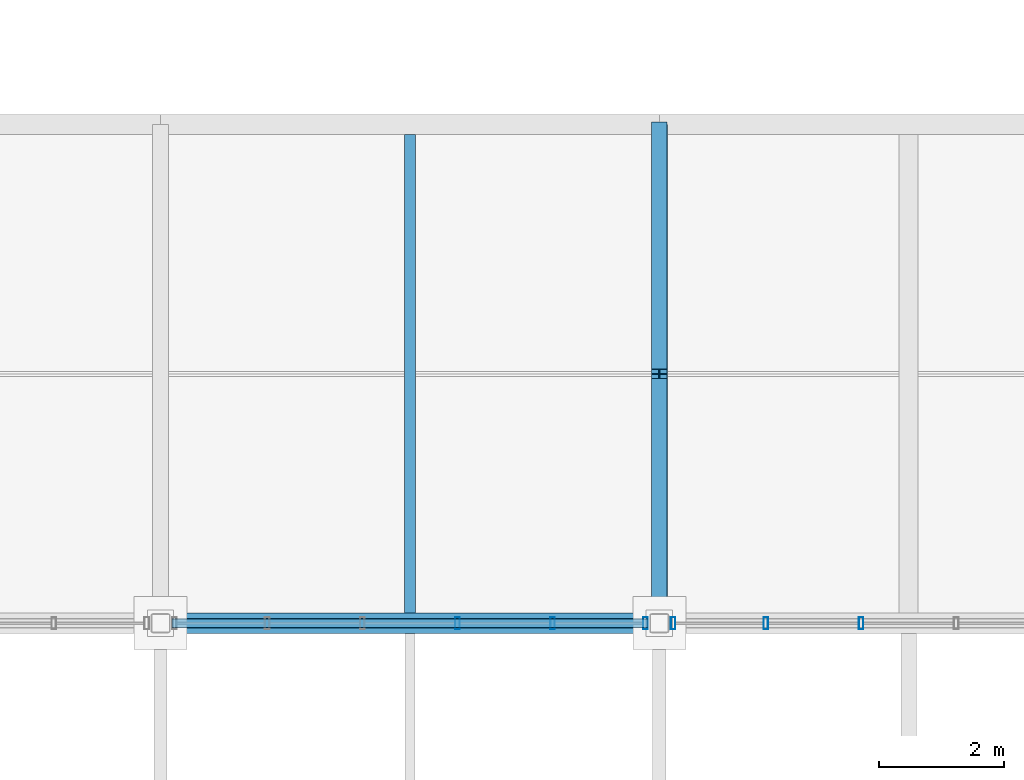
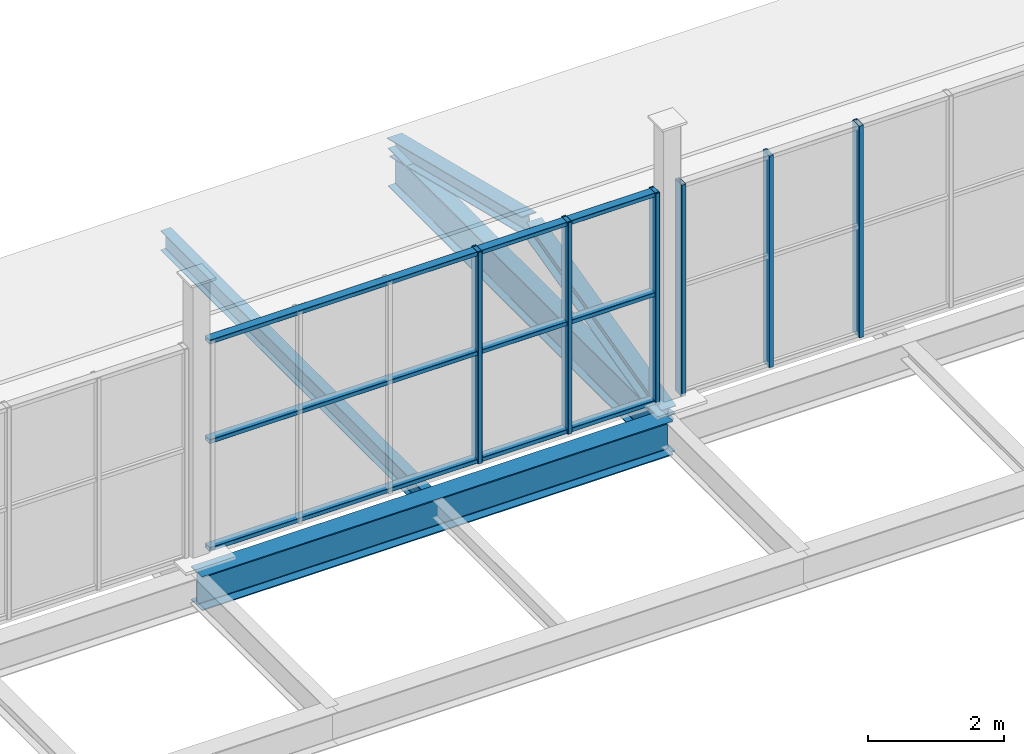
# One storey, part 51 of 96: 11 members, 3 beams, 2 elements without a shape of their own.
"""IFC4 building model written with IfcOpenShell, lengths in metres."""

from ifc_helpers import new_model, si_unit, direction, frame, origin, origin_2d, place, context, subcontext, project, spatial, hollow_rectangle, i_section, extrude, material, material_profile, profile_set, type_object, element, aggregate, save


model = new_model("IFC4")

# Units and contexts
model_context = context("Model", 3, precision=1e-05, world=origin(), true_north=direction((0.0, 1.0)))
body_context = subcontext(model_context, "Body", "Model", "MODEL_VIEW")
ifc_project = project(units=[si_unit("LENGTHUNIT", "METRE"), si_unit("AREAUNIT", "SQUARE_METRE"), si_unit("VOLUMEUNIT", "CUBIC_METRE"), si_unit("PLANEANGLEUNIT", "RADIAN"), si_unit("MASSUNIT", "GRAM", prefix="KILO")], contexts=[model_context])

# Site, building, storey
site_placement = place(None, origin())
site = spatial("IfcSite", under=ifc_project, at=site_placement, CompositionType="ELEMENT")
building_placement = place(site_placement, origin())
building = spatial("IfcBuilding", under=site, at=building_placement, Name="Verrall Gate Interchange", CompositionType="ELEMENT")
storey_placement = place(building_placement, frame((0.0, 0.0, 11.39990234375)))
storey = spatial("IfcBuildingStorey", under=building, at=storey_placement, Name="L03", CompositionType="ELEMENT", Elevation=11.39990234375)

# Beams
ifc_material_1 = material(Name="Structural Steel CSA G40.21 350WT Cat 4", Category="steel")
ifc_material_profile_1 = material_profile(ifc_material_1, i_section(OverallWidth=0.256103515625, OverallDepth=0.693115234375, WebThickness=0.01318359375, FlangeThickness=0.02001953125, FilletRadius=0.01611328125, at=origin_2d()), Name="W690x170")
ifc_profile_set_1 = profile_set([ifc_material_profile_1], Name="Structural Steel CSA G40.21 350WT Cat 4")
beam_type_1 = type_object("IfcBeamType", Name="B-07 Structural Beam W690x170", PredefinedType="BEAM", material=ifc_profile_set_1)
beam_1_placement = place(storey_placement, frame((92.0, 48.0, -0.676513671875), z_axis=(0.0, 1.0, 0.0), x_axis=(-1.0, 0.0, 0.0)))
element("IfcBeam", 1, at=beam_1_placement, inside=storey, type_object=beam_type_1, Name="L03 Girder BM-L03-2305 (B-07)", PredefinedType="BEAM", context=body_context, shape_type="SweptSolid", body=[
    extrude(i_section(OverallWidth=0.256103515625, OverallDepth=0.693115234375, WebThickness=0.01318359375, FlangeThickness=0.02001953125, FilletRadius=0.01611328125, at=origin_2d()), origin(), (0.0, 0.0, 1.0), 8.0),
])
ifc_material_2 = material(Name="Structural Steel CSA G40.21 350WT Cat 4", Category="steel")
ifc_material_profile_2 = material_profile(ifc_material_2, i_section(OverallWidth=0.323974609375, OverallDepth=0.611083984375, WebThickness=0.0126953125, FlangeThickness=0.01904296875, FilletRadius=0.014892578125, at=origin_2d()), Name="W610x155")
ifc_profile_set_2 = profile_set([ifc_material_profile_2], Name="Structural Steel CSA G40.21 350WT Cat 4")
beam_type_2 = type_object("IfcBeamType", Name="B-08 Structural Beam W610x155", PredefinedType="BEAM", material=ifc_profile_set_2)
beam_2_placement = place(storey_placement, frame((84.0, 48.0, -0.635498046875), z_axis=(1.0, 0.0, 0.0), x_axis=(0.0, 1.0, 0.0)))
element("IfcBeam", 2, at=beam_2_placement, inside=storey, type_object=beam_type_2, Name="L03 Girder BM-L03-2116 (B-08)", PredefinedType="BEAM", context=body_context, shape_type="SweptSolid", body=[
    extrude(i_section(OverallWidth=0.323974609375, OverallDepth=0.611083984375, WebThickness=0.0126953125, FlangeThickness=0.01904296875, FilletRadius=0.014892578125, at=origin_2d()), origin(), (0.0, 0.0, 1.0), 8.0),
])

# Curtain wall, members
ifc_material_3 = material(Name="Thermally Broken Anodized Aluminium Curtain Wall Framing", Category="aluminium")
curtain_wall_type = type_object("IfcCurtainWallType", Name="CW-53 Unitized Curtain Wall 7631x3800", PredefinedType="NOTDEFINED", material=ifc_material_3)
curtain_wall_1_placement = place(storey_placement, origin())
curtain_wall_1 = element("IfcCurtainWall", 3, at=curtain_wall_1_placement, inside=storey, type_object=curtain_wall_type, Name="L03 Unitized Curtain Wall CW-L03-CLR-179", PredefinedType="NOTDEFINED")
ifc_material_4 = material(Name="Thermally Broken Anodized Aluminium Curtain Wall Framing", Category="aluminium")
ifc_material_profile_3 = material_profile(ifc_material_4, hollow_rectangle(XDim=0.074951171875, YDim=0.199951171875, WallThickness=0.0048828125, InnerFilletRadius=0.0048828125, OuterFilletRadius=0.010009765625, at=origin_2d()), Name="CWM200x75x5")
ifc_profile_set_3 = profile_set([ifc_material_profile_3], Name="Thermally Broken Anodized Aluminium Curtain Wall Framing")
member_type_1 = type_object("IfcMemberType", Name="CM-02 Curtain Mullion CWM200x75x5", PredefinedType="MULLION", material=ifc_profile_set_3)
member_1_placement = place(storey_placement, frame((88.76318359375, 48.0, 0.0), z_axis=(0.0, 0.0, 1.0), x_axis=(1.0, 0.0, 0.0)))
member_1 = element("IfcMember", 4, at=member_1_placement, type_object=member_type_1, Name="CW-L03-CLR-179 Mullion 4", PredefinedType="MULLION", context=body_context, shape_type="SweptSolid", body=[
    extrude(hollow_rectangle(XDim=0.074951171875, YDim=0.199951171875, WallThickness=0.0048828125, InnerFilletRadius=0.0048828125, OuterFilletRadius=0.010009765625, at=origin_2d()), origin(), (0.0, 0.0, 1.0), 3.800048828125),
])
member_2_placement = place(storey_placement, frame((90.289306640625, 48.0, 0.0), z_axis=(0.0, 0.0, 1.0), x_axis=(1.0, 0.0, 0.0)))
member_2 = element("IfcMember", 5, at=member_2_placement, type_object=member_type_1, Name="CW-L03-CLR-179 Mullion 5", PredefinedType="MULLION", context=body_context, shape_type="SweptSolid", body=[
    extrude(hollow_rectangle(XDim=0.074951171875, YDim=0.199951171875, WallThickness=0.0048828125, InnerFilletRadius=0.0048828125, OuterFilletRadius=0.010009765625, at=origin_2d()), origin(), (0.0, 0.0, 1.0), 3.800048828125),
])
member_3_placement = place(storey_placement, frame((91.778076171875, 48.0, 0.0), z_axis=(0.0, 0.0, 1.0), x_axis=(1.0, 0.0, 0.0)))
member_3 = element("IfcMember", 6, at=member_3_placement, type_object=member_type_1, Name="CW-L03-CLR-179 Mullion 6", PredefinedType="MULLION", context=body_context, shape_type="SweptSolid", body=[
    extrude(hollow_rectangle(XDim=0.074951171875, YDim=0.199951171875, WallThickness=0.0048828125, InnerFilletRadius=0.0048828125, OuterFilletRadius=0.010009765625, at=origin_2d()), origin(), (0.0, 0.0, 1.0), 3.800048828125),
])

curtain_wall_2_placement = place(storey_placement, origin())
curtain_wall_2 = element("IfcCurtainWall", 7, at=curtain_wall_2_placement, inside=storey, type_object=curtain_wall_type, Name="L03 Unitized Curtain Wall CW-L03-CLR-180", PredefinedType="NOTDEFINED")
member_4_placement = place(storey_placement, frame((92.221923828125, 48.0, 0.0), z_axis=(0.0, 0.0, 1.0), x_axis=(1.0, 0.0, 0.0)))
member_4 = element("IfcMember", 8, at=member_4_placement, type_object=member_type_1, Name="CW-L03-CLR-180 Mullion 1", PredefinedType="MULLION", context=body_context, shape_type="SweptSolid", body=[
    extrude(hollow_rectangle(XDim=0.074951171875, YDim=0.199951171875, WallThickness=0.0048828125, InnerFilletRadius=0.0048828125, OuterFilletRadius=0.010009765625, at=origin_2d()), origin(), (0.0, 0.0, 1.0), 3.800048828125),
])
member_5_placement = place(storey_placement, frame((93.710693359375, 48.0, 0.0), z_axis=(0.0, 0.0, 1.0), x_axis=(1.0, 0.0, 0.0)))
member_5 = element("IfcMember", 9, at=member_5_placement, type_object=member_type_1, Name="CW-L03-CLR-180 Mullion 2", PredefinedType="MULLION", context=body_context, shape_type="SweptSolid", body=[
    extrude(hollow_rectangle(XDim=0.074951171875, YDim=0.199951171875, WallThickness=0.0048828125, InnerFilletRadius=0.0048828125, OuterFilletRadius=0.010009765625, at=origin_2d()), origin(), (0.0, 0.0, 1.0), 3.800048828125),
])
member_6_placement = place(storey_placement, frame((95.23681640625, 48.0, 0.0), z_axis=(0.0, 0.0, 1.0), x_axis=(1.0, 0.0, 0.0)))
member_6 = element("IfcMember", 10, at=member_6_placement, type_object=member_type_1, Name="CW-L03-CLR-180 Mullion 3", PredefinedType="MULLION", context=body_context, shape_type="SweptSolid", body=[
    extrude(hollow_rectangle(XDim=0.074951171875, YDim=0.199951171875, WallThickness=0.0048828125, InnerFilletRadius=0.0048828125, OuterFilletRadius=0.010009765625, at=origin_2d()), origin(), (0.0, 0.0, 1.0), 3.800048828125),
])
aggregate(curtain_wall_2, [member_4, member_5, member_6])

# Member
ifc_material_5 = material(Name="Thermally Broken Anodized Aluminium Curtain Wall Framing", Category="aluminium")
ifc_material_profile_4 = material_profile(ifc_material_5, hollow_rectangle(XDim=0.14990234375, YDim=0.074951171875, WallThickness=0.00439453125, InnerFilletRadius=0.00439453125, OuterFilletRadius=0.009033203125, at=origin_2d()), Name="CWT150x75x4.5")
ifc_profile_set_4 = profile_set([ifc_material_profile_4], Name="Thermally Broken Anodized Aluminium Curtain Wall Framing")
member_type_2 = type_object("IfcMemberType", Name="CT-02 Curtain Transom CWT150x75x4.5", PredefinedType="USERDEFINED", material=ifc_profile_set_4)
member_7_placement = place(storey_placement, frame((84.1845703125, 48.0, 0.03759765625), z_axis=(1.0, 0.0, 0.0), x_axis=(0.0, 1.0, 0.0)))
member_7 = element("IfcMember", 11, at=member_7_placement, type_object=member_type_2, Name="CW-L03-CLR-179 Transom 1", ObjectType="TRANSOM", PredefinedType="USERDEFINED", context=body_context, shape_type="SweptSolid", body=[
    extrude(hollow_rectangle(XDim=0.14990234375, YDim=0.074951171875, WallThickness=0.00439453125, InnerFilletRadius=0.00439453125, OuterFilletRadius=0.009033203125, at=origin_2d()), origin(), (0.0, 0.0, 1.0), 7.630859375),
])

member_8_placement = place(storey_placement, frame((84.1845703125, 48.0, 1.97607421875), z_axis=(1.0, 0.0, 0.0), x_axis=(0.0, 1.0, 0.0)))
member_8 = element("IfcMember", 12, at=member_8_placement, type_object=member_type_2, Name="CW-L03-CLR-179 Transom 2", ObjectType="TRANSOM", PredefinedType="USERDEFINED", context=body_context, shape_type="SweptSolid", body=[
    extrude(hollow_rectangle(XDim=0.14990234375, YDim=0.074951171875, WallThickness=0.00439453125, InnerFilletRadius=0.00439453125, OuterFilletRadius=0.009033203125, at=origin_2d()), origin(), (0.0, 0.0, 1.0), 7.630859375),
])

member_9_placement = place(storey_placement, frame((84.1845703125, 48.0, 3.7626953125), z_axis=(1.0, 0.0, 0.0), x_axis=(0.0, 1.0, 0.0)))
member_9 = element("IfcMember", 13, at=member_9_placement, type_object=member_type_2, Name="CW-L03-CLR-179 Transom 3", ObjectType="TRANSOM", PredefinedType="USERDEFINED", context=body_context, shape_type="SweptSolid", body=[
    extrude(hollow_rectangle(XDim=0.14990234375, YDim=0.074951171875, WallThickness=0.00439453125, InnerFilletRadius=0.00439453125, OuterFilletRadius=0.009033203125, at=origin_2d()), origin(), (0.0, 0.0, 1.0), 7.630859375),
])

aggregate(curtain_wall_1, [member_1, member_2, member_3, member_7, member_8, member_9])

# Beam
ifc_material_6 = material(Name="Structural Steel CSA G40.21 350W", Category="steel")
ifc_material_profile_5 = material_profile(ifc_material_6, i_section(OverallWidth=0.172119140625, OverallDepth=0.35791015625, WebThickness=0.0078125, FlangeThickness=0.01318359375, FilletRadius=0.010986328125, at=origin_2d()), Name="W360x57")
ifc_profile_set_5 = profile_set([ifc_material_profile_5], Name="Structural Steel CSA G40.21 350W")
beam_type_3 = type_object("IfcBeamType", Name="J-01 Floor Joist W360x57", PredefinedType="JOIST", material=ifc_profile_set_5)
beam_3_placement = place(storey_placement, frame((88.0, 48.162109375, -0.5087890625), z_axis=(0.0, 1.0, 0.0), x_axis=(-1.0, 0.0, 0.0)))
element("IfcBeam", 14, at=beam_3_placement, inside=storey, type_object=beam_type_3, Name="L03 Secondary Floor Joist JST-L03-2489", PredefinedType="JOIST", context=body_context, shape_type="SweptSolid", body=[
    extrude(i_section(OverallWidth=0.172119140625, OverallDepth=0.35791015625, WebThickness=0.0078125, FlangeThickness=0.01318359375, FilletRadius=0.010986328125, at=origin_2d()), origin(), (0.0, 0.0, 1.0), 7.67578125),
])

# Members
ifc_material_7 = material(Name="Structural Steel CSA G40.21 350WT Cat 4", Category="steel")
ifc_material_profile_6 = material_profile(ifc_material_7, i_section(OverallWidth=0.25390625, OverallDepth=0.305908203125, WebThickness=0.0087890625, FlangeThickness=0.0146484375, FilletRadius=0.012939453125, at=origin_2d()), Name="W310x79")
ifc_profile_set_6 = profile_set([ifc_material_profile_6], Name="Structural Steel CSA G40.21 350WT Cat 4")
member_type_3 = type_object("IfcMemberType", Name="RF-03 Folded Roof Rafter W310x79", PredefinedType="RAFTER", material=ifc_profile_set_6)
for number, where, z_axis, x_axis, name in (
    (15, (92.0, 48.0, -0.31982421875), (0.0, 0.970717098228, 0.240225550696), (-1.0, 0.0, 0.0), "Gallery Roof Rafter S 92"),
    (16, (92.0, 56.0, -0.31982421875), (0.0, -0.970717098228, 0.240225550696), (1.0, 0.0, 0.0), "Gallery Roof Rafter N 92"),
):
    element("IfcMember", number, at=place(storey_placement, frame(where, z_axis=z_axis, x_axis=x_axis)), inside=storey, type_object=member_type_3, Name=name, PredefinedType="RAFTER", context=body_context, shape_type="SweptSolid", body=[
        extrude(i_section(OverallWidth=0.25390625, OverallDepth=0.305908203125, WebThickness=0.0087890625, FlangeThickness=0.0146484375, FilletRadius=0.012939453125, at=origin_2d()), origin(), (0.0, 0.0, 1.0), 4.079345703125),
    ])

save(model, "model.ifc")
